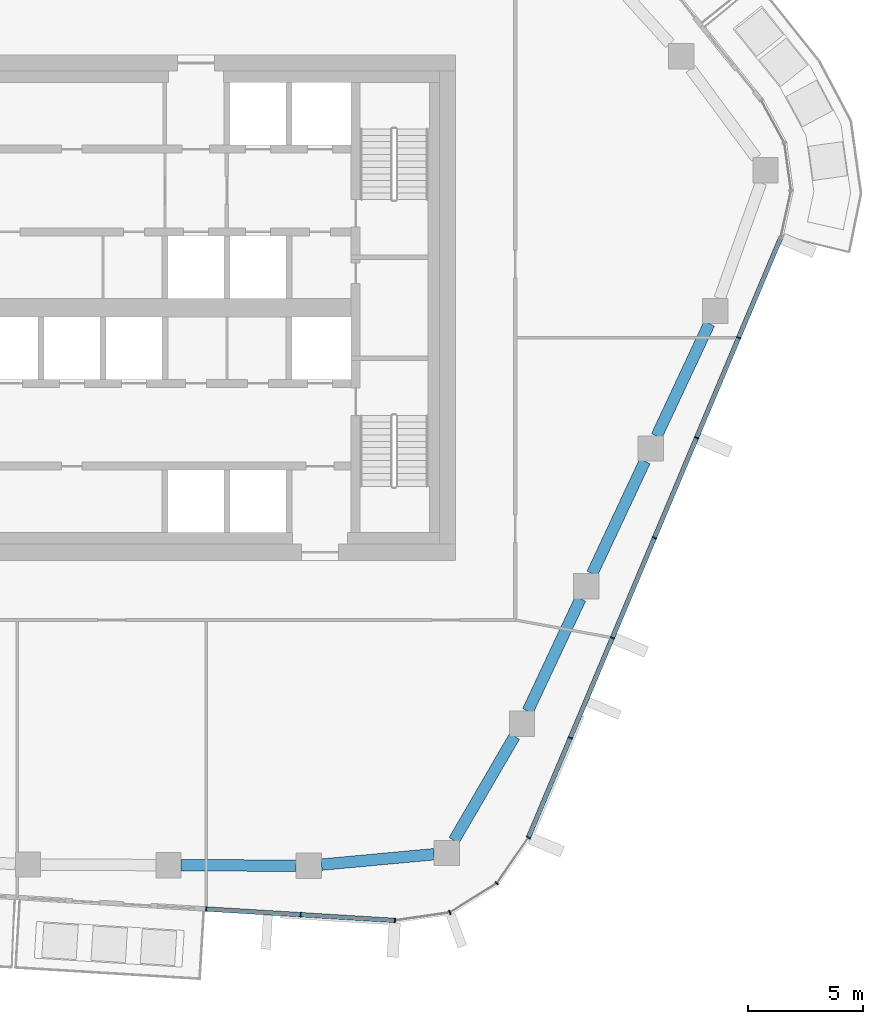
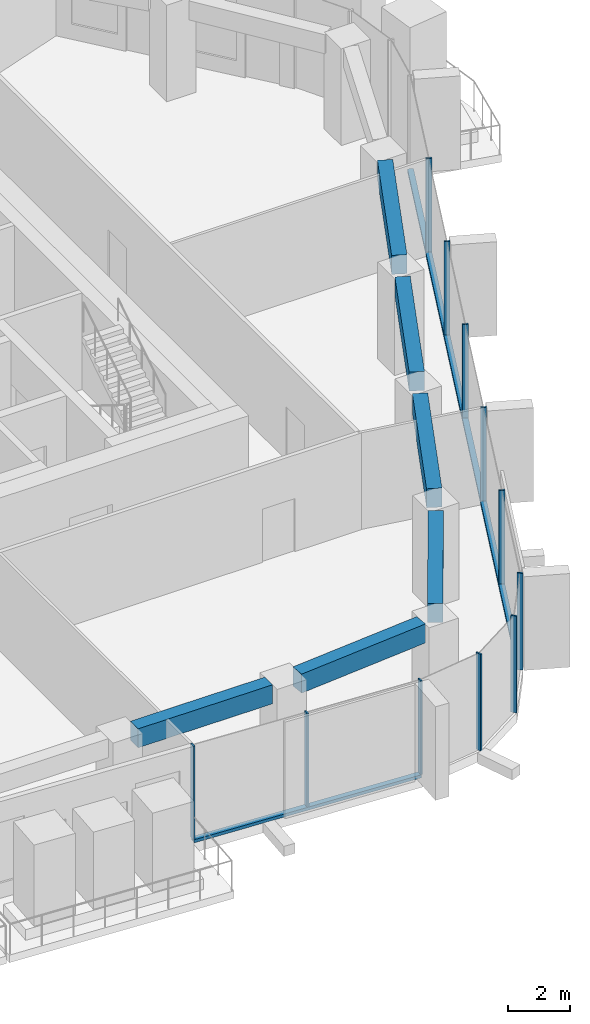
# One storey, part 4 of 20: 13 members, 6 beams, 3 elements without a shape of their own.
"""IFC4 building model written with IfcOpenShell, lengths in metres."""

from ifc_helpers import new_model, si_unit, direction, frame, origin, origin_2d, place, context, subcontext, project, spatial, rectangle, extrude, material, layer, layer_set, material_profile, profile_set, type_object, element, aggregate, save


model = new_model("IFC4")

# Units and contexts
model_context = context("Model", 3, precision=1e-05, world=origin(), true_north=direction((0.0, 1.0)))
body_context = subcontext(model_context, "Body", "Model", "MODEL_VIEW")
ifc_project = project(units=[si_unit("LENGTHUNIT", "METRE"), si_unit("AREAUNIT", "SQUARE_METRE"), si_unit("VOLUMEUNIT", "CUBIC_METRE"), si_unit("PLANEANGLEUNIT", "RADIAN"), si_unit("MASSUNIT", "GRAM", prefix="KILO")], contexts=[model_context])

# Site, building, storey
site_placement = place(None, origin())
site = spatial("IfcSite", under=ifc_project, at=site_placement, CompositionType="ELEMENT")
building_placement = place(site_placement, origin())
building = spatial("IfcBuilding", under=site, at=building_placement, Name="Dongbaek Canopy Tower", CompositionType="ELEMENT")
storey_placement = place(building_placement, frame((0.0, 0.0, 262.199951171875)))
storey = spatial("IfcBuildingStorey", under=building, at=storey_placement, Name="L55", CompositionType="ELEMENT", Elevation=262.199951171875)

# Curtain wall, members
ifc_material_1 = material(Name="Aluminium 6063-T6 pale anodised", Category="aluminium")
ifc_layer = layer(ifc_material_1, 0.199951171875)
ifc_layer_set = layer_set([ifc_layer], Name="CW-1 unitised tower curtain wall")
curtain_wall_type = type_object("IfcCurtainWallType", Name="CW-1 unitised tower curtain wall", PredefinedType="NOTDEFINED", material=ifc_layer_set)
curtain_wall_1_placement = place(storey_placement, origin())
curtain_wall_1 = element("IfcCurtainWall", 1, at=curtain_wall_1_placement, inside=storey, type_object=curtain_wall_type, Name="CW-1 curtain wall F4.1", PredefinedType="NOTDEFINED")
ifc_material_2 = material(Name="Aluminium 6063-T6 pale anodised", Category="aluminium")
ifc_material_profile_1 = material_profile(ifc_material_2, rectangle(XDim=0.199951171875, YDim=0.06005859375, at=origin_2d()), Name="CW-1 mullion 60 x 200")
ifc_profile_set_1 = profile_set([ifc_material_profile_1], Name="Aluminium 6063-T6 pale anodised")
member_type_1 = type_object("IfcMemberType", Name="CW-1 mullion 60 x 200", PredefinedType="MULLION", material=ifc_profile_set_1)
member_1_placement = place(storey_placement, frame((3.147216796875, -26.1806640625, 0.1201171875), z_axis=(0.0, 0.0, 1.0), x_axis=(-0.060746171441, -0.998153246078, 0.0)))
member_1 = element("IfcMember", 2, at=member_1_placement, type_object=member_type_1, Name="CW-1 mullion F4.1.1", PredefinedType="MULLION", context=body_context, shape_type="SweptSolid", body=[
    extrude(rectangle(XDim=0.199951171875, YDim=0.06005859375, at=origin_2d()), origin(), (0.0, 0.0, 1.0), 3.699951171875),
])
member_2_placement = place(storey_placement, frame((7.25927734375, -26.430908203125, 0.1201171875), z_axis=(0.0, 0.0, 1.0), x_axis=(-0.060746171441, -0.998153246078, 0.0)))
member_2 = element("IfcMember", 3, at=member_2_placement, type_object=member_type_1, Name="CW-1 mullion F4.1.2", PredefinedType="MULLION", context=body_context, shape_type="SweptSolid", body=[
    extrude(rectangle(XDim=0.199951171875, YDim=0.06005859375, at=origin_2d()), origin(), (0.0, 0.0, 1.0), 3.699951171875),
])
member_3_placement = place(storey_placement, frame((11.361083984375, -26.6806640625, 0.1201171875), z_axis=(0.0, 0.0, 1.0), x_axis=(-0.060746171441, -0.998153246078, 0.0)))
member_3 = element("IfcMember", 4, at=member_3_placement, type_object=member_type_1, Name="CW-1 mullion F4.1.3", PredefinedType="MULLION", context=body_context, shape_type="SweptSolid", body=[
    extrude(rectangle(XDim=0.199951171875, YDim=0.06005859375, at=origin_2d()), origin(), (0.0, 0.0, 1.0), 3.699951171875),
])

curtain_wall_2_placement = place(storey_placement, origin())
curtain_wall_2 = element("IfcCurtainWall", 5, at=curtain_wall_2_placement, inside=storey, type_object=curtain_wall_type, Name="CW-1 curtain wall K5.1", PredefinedType="NOTDEFINED")
member_4_placement = place(storey_placement, frame((13.754150390625, -26.331787109375, 0.0), z_axis=(0.0, 0.0, 1.0), x_axis=(0.343241866052, -0.939247050242, 0.0)))
member_4 = element("IfcMember", 6, at=member_4_placement, type_object=member_type_1, Name="CW-1 mullion K5.1.2", PredefinedType="MULLION", context=body_context, shape_type="SweptSolid", body=[
    extrude(rectangle(XDim=0.199951171875, YDim=0.06005859375, at=origin_2d()), origin(), (0.0, 0.0, 1.0), 3.820068359375),
])
member_5_placement = place(storey_placement, frame((15.79931640625, -25.06103515625, 0.0), z_axis=(0.0, 0.0, 1.0), x_axis=(0.690019628112, -0.723790655383, 0.0)))
member_5 = element("IfcMember", 7, at=member_5_placement, type_object=member_type_1, Name="CW-1 mullion K5.1.3", PredefinedType="MULLION", context=body_context, shape_type="SweptSolid", body=[
    extrude(rectangle(XDim=0.199951171875, YDim=0.06005859375, at=origin_2d()), origin(), (0.0, 0.0, 1.0), 3.820068359375),
])
member_6_placement = place(storey_placement, frame((17.17236328125, -23.070068359375, 0.0), z_axis=(0.0, 0.0, 1.0), x_axis=(0.823237832697, -0.567696636257, 0.0)))
member_6 = element("IfcMember", 8, at=member_6_placement, type_object=member_type_1, Name="CW-1 mullion K5.1.4", PredefinedType="MULLION", context=body_context, shape_type="SweptSolid", body=[
    extrude(rectangle(XDim=0.199951171875, YDim=0.06005859375, at=origin_2d()), origin(), (0.0, 0.0, 1.0), 3.820068359375),
])
aggregate(curtain_wall_2, [member_4, member_5, member_6])

curtain_wall_3_placement = place(storey_placement, origin())
curtain_wall_3 = element("IfcCurtainWall", 9, at=curtain_wall_3_placement, inside=storey, type_object=curtain_wall_type, Name="CW-1 curtain wall F5.1", PredefinedType="NOTDEFINED")
member_7_placement = place(storey_placement, frame((18.9990234375, -18.7265625, 0.1201171875), z_axis=(0.0, 0.0, 1.0), x_axis=(0.92178748934, -0.387695530662, 0.0)))
member_7 = element("IfcMember", 10, at=member_7_placement, type_object=member_type_1, Name="CW-1 mullion F5.1.2", PredefinedType="MULLION", context=body_context, shape_type="SweptSolid", body=[
    extrude(rectangle(XDim=0.199951171875, YDim=0.06005859375, at=origin_2d()), origin(), (0.0, 0.0, 1.0), 3.699951171875),
])
member_8_placement = place(storey_placement, frame((20.829833984375, -14.37353515625, 0.1201171875), z_axis=(0.0, 0.0, 1.0), x_axis=(0.92178748934, -0.387695530662, 0.0)))
member_8 = element("IfcMember", 11, at=member_8_placement, type_object=member_type_1, Name="CW-1 mullion F5.1.3", PredefinedType="MULLION", context=body_context, shape_type="SweptSolid", body=[
    extrude(rectangle(XDim=0.199951171875, YDim=0.06005859375, at=origin_2d()), origin(), (0.0, 0.0, 1.0), 3.699951171875),
])
member_9_placement = place(storey_placement, frame((22.660888671875, -10.0205078125, 0.1201171875), z_axis=(0.0, 0.0, 1.0), x_axis=(0.92178748934, -0.387695530662, 0.0)))
member_9 = element("IfcMember", 12, at=member_9_placement, type_object=member_type_1, Name="CW-1 mullion F5.1.4", PredefinedType="MULLION", context=body_context, shape_type="SweptSolid", body=[
    extrude(rectangle(XDim=0.199951171875, YDim=0.06005859375, at=origin_2d()), origin(), (0.0, 0.0, 1.0), 3.699951171875),
])
member_10_placement = place(storey_placement, frame((24.49169921875, -5.66748046875, 0.1201171875), z_axis=(0.0, 0.0, 1.0), x_axis=(0.92178748934, -0.387695530662, 0.0)))
member_10 = element("IfcMember", 13, at=member_10_placement, type_object=member_type_1, Name="CW-1 mullion F5.1.5", PredefinedType="MULLION", context=body_context, shape_type="SweptSolid", body=[
    extrude(rectangle(XDim=0.199951171875, YDim=0.06005859375, at=origin_2d()), origin(), (0.0, 0.0, 1.0), 3.699951171875),
])
member_11_placement = place(storey_placement, frame((26.322509765625, -1.314453125, 0.1201171875), z_axis=(0.0, 0.0, 1.0), x_axis=(0.92178748934, -0.387695530662, 0.0)))
member_11 = element("IfcMember", 14, at=member_11_placement, type_object=member_type_1, Name="CW-1 mullion F5.1.6", PredefinedType="MULLION", context=body_context, shape_type="SweptSolid", body=[
    extrude(rectangle(XDim=0.199951171875, YDim=0.06005859375, at=origin_2d()), origin(), (0.0, 0.0, 1.0), 3.699951171875),
])

# Member
ifc_material_3 = material(Name="Aluminium 6063-T6 pale anodised", Category="aluminium")
ifc_material_profile_2 = material_profile(ifc_material_3, rectangle(XDim=0.199951171875, YDim=0.1201171875, at=origin_2d()), Name="CW-1 transom 120 x 200")
ifc_profile_set_2 = profile_set([ifc_material_profile_2], Name="Aluminium 6063-T6 pale anodised")
member_type_2 = type_object("IfcMemberType", Name="CW-1 transom 120 x 200", PredefinedType="USERDEFINED", material=ifc_profile_set_2)
member_12_placement = place(storey_placement, frame((3.147216796875, -26.1806640625, 0.06005859375), z_axis=(0.998152392346, -0.060760197941, 0.0), x_axis=(0.060760197941, 0.998152392346, 0.0)))
member_12 = element("IfcMember", 15, at=member_12_placement, type_object=member_type_2, Name="CW-1 transom F4.1.1", ObjectType="TRANSOM", PredefinedType="USERDEFINED", context=body_context, shape_type="SweptSolid", body=[
    extrude(rectangle(XDim=0.199951171875, YDim=0.1201171875, at=origin_2d()), origin(), (0.0, 0.0, 1.0), 8.22900390625),
])

aggregate(curtain_wall_1, [member_1, member_2, member_3, member_12])

member_13_placement = place(storey_placement, frame((17.17236328125, -23.070068359375, 0.06005859375), z_axis=(0.387694629158, 0.921787868504, 0.0), x_axis=(-0.921787868504, 0.387694629158, 0.0)))
member_13 = element("IfcMember", 16, at=member_13_placement, type_object=member_type_2, Name="CW-1 transom F5.1.1", ObjectType="TRANSOM", PredefinedType="USERDEFINED", context=body_context, shape_type="SweptSolid", body=[
    extrude(rectangle(XDim=0.199951171875, YDim=0.1201171875, at=origin_2d()), origin(), (0.0, 0.0, 1.0), 28.31494140625),
])

aggregate(curtain_wall_3, [member_7, member_8, member_9, member_10, member_11, member_13])

# Beams
ifc_material_4 = material(Name="Concrete C70", Category="concrete")
ifc_material_profile_3 = material_profile(ifc_material_4, rectangle(XDim=0.5, YDim=0.75, at=origin_2d()), Name="RC EDGE BEAM 500x750 C70")
ifc_profile_set_3 = profile_set([ifc_material_profile_3], Name="Concrete C70")
beam_type = type_object("IfcBeamType", Name="RC EDGE BEAM 500x750 C70", PredefinedType="BEAM", material=ifc_profile_set_3)
beam_1_placement = place(storey_placement, frame((13.06201171875, -23.796875, 3.445068359375), z_axis=(-0.995758214652, -0.092008575434, 0.0), x_axis=(0.092008575434, -0.995758214652, 0.0)))
element("IfcBeam", 17, at=beam_1_placement, inside=storey, type_object=beam_type, Name="EDGEBEAM:L55:00", PredefinedType="BEAM", context=body_context, shape_type="SweptSolid", body=[
    extrude(rectangle(XDim=0.5, YDim=0.75, at=origin_2d()), origin(), (0.0, 0.0, 1.0), 4.916748046875),
])
beam_2_placement = place(storey_placement, frame((7.06591796875, -24.297607421875, 3.445068359375), z_axis=(-0.999989301171, 0.004625747851, 0.0), x_axis=(-0.004625747851, -0.999989301171, 0.0)))
element("IfcBeam", 18, at=beam_2_placement, inside=storey, type_object=beam_type, Name="EDGEBEAM:L55:01", PredefinedType="BEAM", context=body_context, shape_type="SweptSolid", body=[
    extrude(rectangle(XDim=0.5, YDim=0.75, at=origin_2d()), origin(), (0.0, 0.0, 1.0), 5.013916015625),
])
beam_3_placement = place(storey_placement, frame((25.04443359375, -0.701904296875, 3.445068359375), z_axis=(-0.423972479832, -0.905675072167, 0.0), x_axis=(0.905675072167, -0.423972479832, 0.0)))
element("IfcBeam", 19, at=beam_3_placement, inside=storey, type_object=beam_type, Name="EDGEBEAM:L55:22", PredefinedType="BEAM", context=body_context, shape_type="SweptSolid", body=[
    extrude(rectangle(XDim=0.5, YDim=0.75, at=origin_2d()), origin(), (0.0, 0.0, 1.0), 5.396240234375),
])
beam_4_placement = place(storey_placement, frame((22.241455078125, -6.68896484375, 3.445068359375), z_axis=(-0.424105880993, -0.905612611279, 0.0), x_axis=(0.905612611279, -0.424105880993, 0.0)))
element("IfcBeam", 20, at=beam_4_placement, inside=storey, type_object=beam_type, Name="EDGEBEAM:L55:23", PredefinedType="BEAM", context=body_context, shape_type="SweptSolid", body=[
    extrude(rectangle(XDim=0.5, YDim=0.75, at=origin_2d()), origin(), (0.0, 0.0, 1.0), 5.3974609375),
])
beam_5_placement = place(storey_placement, frame((19.437255859375, -12.677001953125, 3.445068359375), z_axis=(-0.424249579949, -0.905545301966, 0.0), x_axis=(0.905545301966, -0.424249579949, 0.0)))
element("IfcBeam", 21, at=beam_5_placement, inside=storey, type_object=beam_type, Name="EDGEBEAM:L55:24", PredefinedType="BEAM", context=body_context, shape_type="SweptSolid", body=[
    extrude(rectangle(XDim=0.5, YDim=0.75, at=origin_2d()), origin(), (0.0, 0.0, 1.0), 5.396728515625),
])
beam_6_placement = place(storey_placement, frame((16.56982421875, -18.6640625, 3.445068359375), z_axis=(-0.503022590015, -0.864273263462, 0.0), x_axis=(0.864273263462, -0.503022590015, 0.0)))
element("IfcBeam", 22, at=beam_6_placement, inside=storey, type_object=beam_type, Name="EDGEBEAM:L55:25", PredefinedType="BEAM", context=body_context, shape_type="SweptSolid", body=[
    extrude(rectangle(XDim=0.5, YDim=0.75, at=origin_2d()), origin(), (0.0, 0.0, 1.0), 5.24365234375),
])

save(model, "model.ifc")
